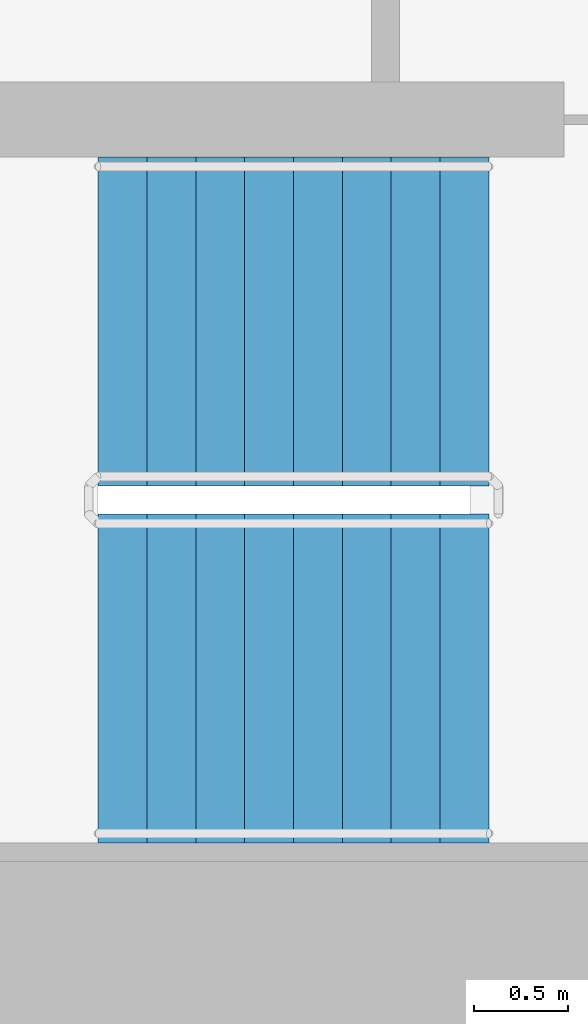
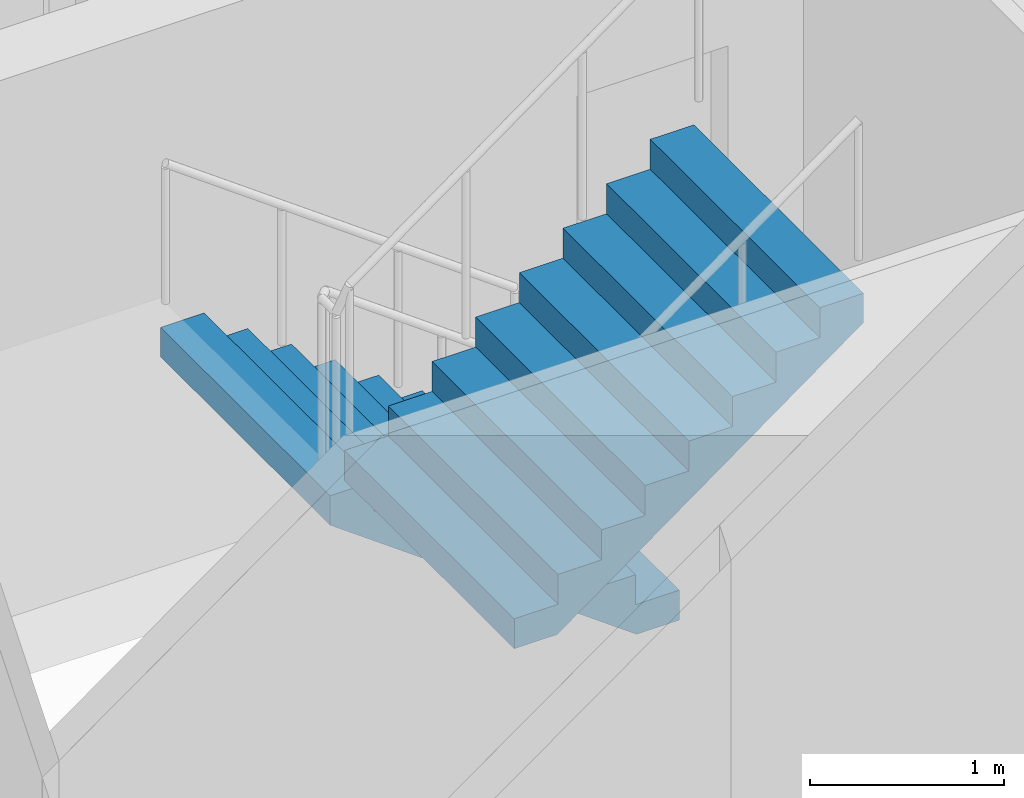
# One storey, part 18 of 24: 2 stair flights, 1 element without a shape of its own.
"""IFC4 building model written with IfcOpenShell, lengths in metres."""

from ifc_helpers import new_model, si_unit, direction, frame, origin, place, context, subcontext, project, spatial, faceted_brep, material, type_object, element, aggregate, save


model = new_model("IFC4")

# Units and contexts
model_context = context("Model", 3, precision=1e-05, world=origin(), true_north=direction((0.0, 1.0)))
body_context = subcontext(model_context, "Body", "Model", "MODEL_VIEW")
ifc_project = project(units=[si_unit("LENGTHUNIT", "METRE"), si_unit("AREAUNIT", "SQUARE_METRE"), si_unit("VOLUMEUNIT", "CUBIC_METRE"), si_unit("PLANEANGLEUNIT", "RADIAN"), si_unit("MASSUNIT", "GRAM", prefix="KILO")], contexts=[model_context])

# Site, building, storey
site_placement = place(None, origin())
site = spatial("IfcSite", under=ifc_project, at=site_placement, CompositionType="ELEMENT")
building_placement = place(site_placement, origin())
building = spatial("IfcBuilding", under=site, at=building_placement, Name="Ipe Terrace Towers", CompositionType="ELEMENT")
storey_placement = place(building_placement, frame((0.0, 0.0, 38.10009765625)))
storey = spatial("IfcBuildingStorey", under=building, at=storey_placement, Name="L09", CompositionType="ELEMENT", Elevation=38.10009765625)

# Stair, stair flights
ifc_material_1 = material(Name="Concrete C30/37", Category="concrete")
stair_type = type_object("IfcStairType", Name="Protected exit stair", PredefinedType="HALF_TURN_STAIR", material=ifc_material_1)
stair_placement = place(storey_placement, origin())
stair = element("IfcStair", 1, at=stair_placement, inside=storey, type_object=stair_type, Name="L09 Exit stair T1-C2", PredefinedType="HALF_TURN_STAIR")
ifc_material_2 = material(Name="Concrete C30/37", Category="concrete")
stair_flight_type = type_object("IfcStairFlightType", Name="Exit stair flight 1750", PredefinedType="STRAIGHT", material=ifc_material_2)
stair_flight_1_placement = place(storey_placement, frame((-45.699951171875, -2.77490234375, 0.0), z_axis=(0.0, 0.0, 1.0), x_axis=(-1.0, 0.0, 0.0)))
stair_flight_1 = element("IfcStairFlight", 2, at=stair_flight_1_placement, type_object=stair_flight_type, Name="T1-ST2 flight 1", NumberOfRisers=9, NumberOfTreads=8, PredefinedType="STRAIGHT", RiserHeight=0.188888889, TreadLength=0.26, context=body_context, shape_type="Brep", body=[
    faceted_brep([(0.255126953125, -0.875, 0.0), (2.080078125, -0.875, 1.325927734375), (2.080078125, -0.875, 1.51123046875), (1.820068359375, -0.875, 1.51123046875), (1.820068359375, -0.875, 1.322265625), (1.56005859375, -0.875, 1.322265625), (1.56005859375, -0.875, 1.13330078125), (1.300048828125, -0.875, 1.13330078125), (1.300048828125, -0.875, 0.9443359375), (1.0400390625, -0.875, 0.9443359375), (1.0400390625, -0.875, 0.755615234375), (0.780029296875, -0.875, 0.755615234375), (0.780029296875, -0.875, 0.566650390625), (0.52001953125, -0.875, 0.566650390625), (0.52001953125, -0.875, 0.377685546875), (0.260009765625, -0.875, 0.377685546875), (0.260009765625, -0.875, 0.18896484375), (0.0, -0.875, 0.18896484375), (0.0, -0.875, 0.0), (0.0, 0.875, 0.0), (0.0, 0.875, 0.18896484375), (0.260009765625, 0.875, 0.18896484375), (0.260009765625, 0.875, 0.377685546875), (0.52001953125, 0.875, 0.377685546875), (0.52001953125, 0.875, 0.566650390625), (0.780029296875, 0.875, 0.566650390625), (0.780029296875, 0.875, 0.755615234375), (1.0400390625, 0.875, 0.755615234375), (1.0400390625, 0.875, 0.9443359375), (1.300048828125, 0.875, 0.9443359375), (1.300048828125, 0.875, 1.13330078125), (1.56005859375, 0.875, 1.13330078125), (1.56005859375, 0.875, 1.322265625), (1.820068359375, 0.875, 1.322265625), (1.820068359375, 0.875, 1.51123046875), (2.080078125, 0.875, 1.51123046875), (2.080078125, 0.875, 1.325927734375), (0.255126953125, 0.875, 0.0), (0.0, -0.300048828125, 0.18896484375), (0.0, -0.1201171875, 0.18896484375), (0.0, -0.06005859375, 0.18896484375), (0.0, -0.030029296875, 0.18896484375), (0.0, -0.010009765625, 0.18896484375), (0.0, 0.0, 0.18896484375), (0.0, 0.010009765625, 0.18896484375), (0.0, 0.030029296875, 0.18896484375), (0.0, 0.06005859375, 0.18896484375), (0.0, 0.1201171875, 0.18896484375), (0.0, 0.300048828125, 0.18896484375), (0.0, 0.300048828125, 0.0), (0.0, 0.1201171875, 0.0), (0.0, 0.06005859375, 0.0), (0.0, 0.030029296875, 0.0), (0.0, 0.010009765625, 0.0), (0.0, 0.0, 0.0), (0.0, -0.010009765625, 0.0), (0.0, -0.030029296875, 0.0), (0.0, -0.06005859375, 0.0), (0.0, -0.1201171875, 0.0), (0.0, -0.300048828125, 0.0), (0.260009765625, -0.300048828125, 0.18896484375), (0.260009765625, -0.1201171875, 0.18896484375), (0.260009765625, -0.06005859375, 0.18896484375), (0.260009765625, -0.030029296875, 0.18896484375), (0.260009765625, -0.010009765625, 0.18896484375), (0.260009765625, 0.0, 0.18896484375), (0.260009765625, 0.010009765625, 0.18896484375), (0.260009765625, 0.030029296875, 0.18896484375), (0.260009765625, 0.06005859375, 0.18896484375), (0.260009765625, 0.1201171875, 0.18896484375), (0.260009765625, 0.300048828125, 0.18896484375), (0.260009765625, -0.300048828125, 0.377685546875), (0.260009765625, -0.1201171875, 0.377685546875), (0.260009765625, -0.06005859375, 0.377685546875), (0.260009765625, -0.030029296875, 0.377685546875), (0.260009765625, -0.010009765625, 0.377685546875), (0.260009765625, 0.0, 0.377685546875), (0.260009765625, 0.010009765625, 0.377685546875), (0.260009765625, 0.030029296875, 0.377685546875), (0.260009765625, 0.06005859375, 0.377685546875), (0.260009765625, 0.1201171875, 0.377685546875), (0.260009765625, 0.300048828125, 0.377685546875), (0.52001953125, -0.300048828125, 0.377685546875), (0.52001953125, -0.1201171875, 0.377685546875), (0.52001953125, -0.06005859375, 0.377685546875), (0.52001953125, -0.030029296875, 0.377685546875), (0.52001953125, -0.010009765625, 0.377685546875), (0.52001953125, 0.0, 0.377685546875), (0.52001953125, 0.010009765625, 0.377685546875), (0.52001953125, 0.030029296875, 0.377685546875), (0.52001953125, 0.06005859375, 0.377685546875), (0.52001953125, 0.1201171875, 0.377685546875), (0.52001953125, 0.300048828125, 0.377685546875), (0.52001953125, -0.300048828125, 0.566650390625), (0.52001953125, -0.1201171875, 0.566650390625), (0.52001953125, -0.06005859375, 0.566650390625), (0.52001953125, -0.030029296875, 0.566650390625), (0.52001953125, -0.010009765625, 0.566650390625), (0.52001953125, 0.0, 0.566650390625), (0.52001953125, 0.010009765625, 0.566650390625), (0.52001953125, 0.030029296875, 0.566650390625), (0.52001953125, 0.06005859375, 0.566650390625), (0.52001953125, 0.1201171875, 0.566650390625), (0.52001953125, 0.300048828125, 0.566650390625), (0.780029296875, -0.300048828125, 0.566650390625), (0.780029296875, -0.1201171875, 0.566650390625), (0.780029296875, -0.06005859375, 0.566650390625), (0.780029296875, -0.030029296875, 0.566650390625), (0.780029296875, -0.010009765625, 0.566650390625), (0.780029296875, 0.0, 0.566650390625), (0.780029296875, 0.010009765625, 0.566650390625), (0.780029296875, 0.030029296875, 0.566650390625), (0.780029296875, 0.06005859375, 0.566650390625), (0.780029296875, 0.1201171875, 0.566650390625), (0.780029296875, 0.300048828125, 0.566650390625), (0.780029296875, -0.300048828125, 0.755615234375), (0.780029296875, -0.1201171875, 0.755615234375), (0.780029296875, -0.06005859375, 0.755615234375), (0.780029296875, -0.030029296875, 0.755615234375), (0.780029296875, -0.010009765625, 0.755615234375), (0.780029296875, 0.0, 0.755615234375), (0.780029296875, 0.010009765625, 0.755615234375), (0.780029296875, 0.030029296875, 0.755615234375), (0.780029296875, 0.06005859375, 0.755615234375), (0.780029296875, 0.1201171875, 0.755615234375), (0.780029296875, 0.300048828125, 0.755615234375), (1.0400390625, -0.300048828125, 0.755615234375), (1.0400390625, -0.1201171875, 0.755615234375), (1.0400390625, -0.06005859375, 0.755615234375), (1.0400390625, -0.030029296875, 0.755615234375), (1.0400390625, -0.010009765625, 0.755615234375), (1.0400390625, 0.0, 0.755615234375), (1.0400390625, 0.010009765625, 0.755615234375), (1.0400390625, 0.030029296875, 0.755615234375), (1.0400390625, 0.06005859375, 0.755615234375), (1.0400390625, 0.1201171875, 0.755615234375), (1.0400390625, 0.300048828125, 0.755615234375), (1.0400390625, -0.300048828125, 0.9443359375), (1.0400390625, -0.1201171875, 0.9443359375), (1.0400390625, -0.06005859375, 0.9443359375), (1.0400390625, -0.030029296875, 0.9443359375), (1.0400390625, -0.010009765625, 0.9443359375), (1.0400390625, 0.0, 0.9443359375), (1.0400390625, 0.010009765625, 0.9443359375), (1.0400390625, 0.030029296875, 0.9443359375), (1.0400390625, 0.06005859375, 0.9443359375), (1.0400390625, 0.1201171875, 0.9443359375), (1.0400390625, 0.300048828125, 0.9443359375), (1.300048828125, -0.300048828125, 0.9443359375), (1.300048828125, -0.1201171875, 0.9443359375), (1.300048828125, -0.06005859375, 0.9443359375), (1.300048828125, -0.030029296875, 0.9443359375), (1.300048828125, -0.010009765625, 0.9443359375), (1.300048828125, 0.0, 0.9443359375), (1.300048828125, 0.010009765625, 0.9443359375), (1.300048828125, 0.030029296875, 0.9443359375), (1.300048828125, 0.06005859375, 0.9443359375), (1.300048828125, 0.1201171875, 0.9443359375), (1.300048828125, 0.300048828125, 0.9443359375), (1.300048828125, -0.300048828125, 1.13330078125), (1.300048828125, -0.1201171875, 1.13330078125), (1.300048828125, -0.06005859375, 1.13330078125), (1.300048828125, -0.030029296875, 1.13330078125), (1.300048828125, -0.010009765625, 1.13330078125), (1.300048828125, 0.0, 1.13330078125), (1.300048828125, 0.010009765625, 1.13330078125), (1.300048828125, 0.030029296875, 1.13330078125), (1.300048828125, 0.06005859375, 1.13330078125), (1.300048828125, 0.1201171875, 1.13330078125), (1.300048828125, 0.300048828125, 1.13330078125), (1.56005859375, -0.300048828125, 1.13330078125), (1.56005859375, -0.1201171875, 1.13330078125), (1.56005859375, -0.06005859375, 1.13330078125), (1.56005859375, -0.030029296875, 1.13330078125), (1.56005859375, -0.010009765625, 1.13330078125), (1.56005859375, 0.0, 1.13330078125), (1.56005859375, 0.010009765625, 1.13330078125), (1.56005859375, 0.030029296875, 1.13330078125), (1.56005859375, 0.06005859375, 1.13330078125), (1.56005859375, 0.1201171875, 1.13330078125), (1.56005859375, 0.300048828125, 1.13330078125), (1.56005859375, -0.300048828125, 1.322265625), (1.56005859375, -0.1201171875, 1.322265625), (1.56005859375, -0.06005859375, 1.322265625), (1.56005859375, -0.030029296875, 1.322265625), (1.56005859375, -0.010009765625, 1.322265625), (1.56005859375, 0.0, 1.322265625), (1.56005859375, 0.010009765625, 1.322265625), (1.56005859375, 0.030029296875, 1.322265625), (1.56005859375, 0.06005859375, 1.322265625), (1.56005859375, 0.1201171875, 1.322265625), (1.56005859375, 0.300048828125, 1.322265625), (1.820068359375, -0.300048828125, 1.322265625), (1.820068359375, -0.1201171875, 1.322265625), (1.820068359375, -0.06005859375, 1.322265625), (1.820068359375, -0.030029296875, 1.322265625), (1.820068359375, -0.010009765625, 1.322265625), (1.820068359375, 0.0, 1.322265625), (1.820068359375, 0.010009765625, 1.322265625), (1.820068359375, 0.030029296875, 1.322265625), (1.820068359375, 0.06005859375, 1.322265625), (1.820068359375, 0.1201171875, 1.322265625), (1.820068359375, 0.300048828125, 1.322265625), (1.820068359375, -0.300048828125, 1.51123046875), (1.820068359375, -0.1201171875, 1.51123046875), (1.820068359375, -0.06005859375, 1.51123046875), (1.820068359375, -0.030029296875, 1.51123046875), (1.820068359375, -0.010009765625, 1.51123046875), (1.820068359375, 0.0, 1.51123046875), (1.820068359375, 0.010009765625, 1.51123046875), (1.820068359375, 0.030029296875, 1.51123046875), (1.820068359375, 0.06005859375, 1.51123046875), (1.820068359375, 0.1201171875, 1.51123046875), (1.820068359375, 0.300048828125, 1.51123046875), (2.080078125, -0.300048828125, 1.51123046875), (2.080078125, -0.1201171875, 1.51123046875), (2.080078125, -0.06005859375, 1.51123046875), (2.080078125, -0.030029296875, 1.51123046875), (2.080078125, -0.010009765625, 1.51123046875), (2.080078125, 0.0, 1.51123046875), (2.080078125, 0.010009765625, 1.51123046875), (2.080078125, 0.030029296875, 1.51123046875), (2.080078125, 0.06005859375, 1.51123046875), (2.080078125, 0.1201171875, 1.51123046875), (2.080078125, 0.300048828125, 1.51123046875), (2.080078125, -0.300048828125, 1.325927734375), (2.080078125, -0.1201171875, 1.325927734375), (2.080078125, -0.06005859375, 1.325927734375), (2.080078125, -0.030029296875, 1.325927734375), (2.080078125, -0.010009765625, 1.325927734375), (2.080078125, 0.0, 1.325927734375), (2.080078125, 0.010009765625, 1.325927734375), (2.080078125, 0.030029296875, 1.325927734375), (2.080078125, 0.06005859375, 1.325927734375), (2.080078125, 0.1201171875, 1.325927734375), (2.080078125, 0.300048828125, 1.325927734375), (0.255126953125, -0.300048828125, 0.0), (0.255126953125, -0.1201171875, 0.0), (0.255126953125, -0.06005859375, 0.0), (0.255126953125, -0.030029296875, 0.0), (0.255126953125, -0.010009765625, 0.0), (0.255126953125, 0.0, 0.0), (0.255126953125, 0.010009765625, 0.0), (0.255126953125, 0.030029296875, 0.0), (0.255126953125, 0.06005859375, 0.0), (0.255126953125, 0.1201171875, 0.0), (0.255126953125, 0.300048828125, 0.0)], [[[0, 1, 2, 3, 4, 5, 6, 7, 8, 9, 10, 11, 12, 13, 14, 15, 16, 17, 18]], [[19, 20, 21, 22, 23, 24, 25, 26, 27, 28, 29, 30, 31, 32, 33, 34, 35, 36, 37]], [[17, 38, 39, 40, 41, 42, 43, 44, 45, 46, 47, 48, 20, 19, 49, 50, 51, 52, 53, 54, 55, 56, 57, 58, 59, 18]], [[16, 60, 61, 62, 63, 64, 65, 66, 67, 68, 69, 70, 21, 20, 48, 47, 46, 45, 44, 43, 42, 41, 40, 39, 38, 17]], [[15, 71, 72, 73, 74, 75, 76, 77, 78, 79, 80, 81, 22, 21, 70, 69, 68, 67, 66, 65, 64, 63, 62, 61, 60, 16]], [[14, 82, 83, 84, 85, 86, 87, 88, 89, 90, 91, 92, 23, 22, 81, 80, 79, 78, 77, 76, 75, 74, 73, 72, 71, 15]], [[13, 93, 94, 95, 96, 97, 98, 99, 100, 101, 102, 103, 24, 23, 92, 91, 90, 89, 88, 87, 86, 85, 84, 83, 82, 14]], [[12, 104, 105, 106, 107, 108, 109, 110, 111, 112, 113, 114, 25, 24, 103, 102, 101, 100, 99, 98, 97, 96, 95, 94, 93, 13]], [[11, 115, 116, 117, 118, 119, 120, 121, 122, 123, 124, 125, 26, 25, 114, 113, 112, 111, 110, 109, 108, 107, 106, 105, 104, 12]], [[10, 126, 127, 128, 129, 130, 131, 132, 133, 134, 135, 136, 27, 26, 125, 124, 123, 122, 121, 120, 119, 118, 117, 116, 115, 11]], [[9, 137, 138, 139, 140, 141, 142, 143, 144, 145, 146, 147, 28, 27, 136, 135, 134, 133, 132, 131, 130, 129, 128, 127, 126, 10]], [[8, 148, 149, 150, 151, 152, 153, 154, 155, 156, 157, 158, 29, 28, 147, 146, 145, 144, 143, 142, 141, 140, 139, 138, 137, 9]], [[7, 159, 160, 161, 162, 163, 164, 165, 166, 167, 168, 169, 30, 29, 158, 157, 156, 155, 154, 153, 152, 151, 150, 149, 148, 8]], [[6, 170, 171, 172, 173, 174, 175, 176, 177, 178, 179, 180, 31, 30, 169, 168, 167, 166, 165, 164, 163, 162, 161, 160, 159, 7]], [[5, 181, 182, 183, 184, 185, 186, 187, 188, 189, 190, 191, 32, 31, 180, 179, 178, 177, 176, 175, 174, 173, 172, 171, 170, 6]], [[4, 192, 193, 194, 195, 196, 197, 198, 199, 200, 201, 202, 33, 32, 191, 190, 189, 188, 187, 186, 185, 184, 183, 182, 181, 5]], [[3, 203, 204, 205, 206, 207, 208, 209, 210, 211, 212, 213, 34, 33, 202, 201, 200, 199, 198, 197, 196, 195, 194, 193, 192, 4]], [[2, 214, 215, 216, 217, 218, 219, 220, 221, 222, 223, 224, 35, 34, 213, 212, 211, 210, 209, 208, 207, 206, 205, 204, 203, 3]], [[1, 225, 226, 227, 228, 229, 230, 231, 232, 233, 234, 235, 36, 35, 224, 223, 222, 221, 220, 219, 218, 217, 216, 215, 214, 2]], [[0, 236, 237, 238, 239, 240, 241, 242, 243, 244, 245, 246, 37, 36, 235, 234, 233, 232, 231, 230, 229, 228, 227, 226, 225, 1]], [[18, 59, 58, 57, 56, 55, 54, 53, 52, 51, 50, 49, 19, 37, 246, 245, 244, 243, 242, 241, 240, 239, 238, 237, 236, 0]]]),
])
stair_flight_2_placement = place(storey_placement, frame((-47.780029296875, -4.675048828125, 1.699951171875), z_axis=(0.0, 0.0, 1.0), x_axis=(1.0, 0.0, 0.0)))
stair_flight_2 = element("IfcStairFlight", 3, at=stair_flight_2_placement, type_object=stair_flight_type, Name="T1-ST2 flight 2", NumberOfRisers=9, NumberOfTreads=8, PredefinedType="STRAIGHT", RiserHeight=0.188888889, TreadLength=0.26, context=body_context, shape_type="Brep", body=[
    faceted_brep([(0.255126953125, -0.875, 0.0), (2.080078125, -0.875, 1.325927734375), (2.080078125, -0.875, 1.51123046875), (1.820068359375, -0.875, 1.51123046875), (1.820068359375, -0.875, 1.322265625), (1.56005859375, -0.875, 1.322265625), (1.56005859375, -0.875, 1.13330078125), (1.300048828125, -0.875, 1.13330078125), (1.300048828125, -0.875, 0.9443359375), (1.0400390625, -0.875, 0.9443359375), (1.0400390625, -0.875, 0.755615234375), (0.780029296875, -0.875, 0.755615234375), (0.780029296875, -0.875, 0.566650390625), (0.52001953125, -0.875, 0.566650390625), (0.52001953125, -0.875, 0.377685546875), (0.260009765625, -0.875, 0.377685546875), (0.260009765625, -0.875, 0.18896484375), (0.0, -0.875, 0.18896484375), (0.0, -0.875, 0.0), (0.0, 0.875, 0.0), (0.0, 0.875, 0.18896484375), (0.260009765625, 0.875, 0.18896484375), (0.260009765625, 0.875, 0.377685546875), (0.52001953125, 0.875, 0.377685546875), (0.52001953125, 0.875, 0.566650390625), (0.780029296875, 0.875, 0.566650390625), (0.780029296875, 0.875, 0.755615234375), (1.0400390625, 0.875, 0.755615234375), (1.0400390625, 0.875, 0.9443359375), (1.300048828125, 0.875, 0.9443359375), (1.300048828125, 0.875, 1.13330078125), (1.56005859375, 0.875, 1.13330078125), (1.56005859375, 0.875, 1.322265625), (1.820068359375, 0.875, 1.322265625), (1.820068359375, 0.875, 1.51123046875), (2.080078125, 0.875, 1.51123046875), (2.080078125, 0.875, 1.325927734375), (0.255126953125, 0.875, 0.0), (0.0, -0.300048828125, 0.18896484375), (0.0, -0.1201171875, 0.18896484375), (0.0, -0.06005859375, 0.18896484375), (0.0, -0.030029296875, 0.18896484375), (0.0, -0.010009765625, 0.18896484375), (0.0, 0.0, 0.18896484375), (0.0, 0.010009765625, 0.18896484375), (0.0, 0.030029296875, 0.18896484375), (0.0, 0.06005859375, 0.18896484375), (0.0, 0.1201171875, 0.18896484375), (0.0, 0.300048828125, 0.18896484375), (0.0, 0.300048828125, 0.0), (0.0, 0.1201171875, 0.0), (0.0, 0.06005859375, 0.0), (0.0, 0.030029296875, 0.0), (0.0, 0.010009765625, 0.0), (0.0, 0.0, 0.0), (0.0, -0.010009765625, 0.0), (0.0, -0.030029296875, 0.0), (0.0, -0.06005859375, 0.0), (0.0, -0.1201171875, 0.0), (0.0, -0.300048828125, 0.0), (0.260009765625, -0.300048828125, 0.18896484375), (0.260009765625, -0.1201171875, 0.18896484375), (0.260009765625, -0.06005859375, 0.18896484375), (0.260009765625, -0.030029296875, 0.18896484375), (0.260009765625, -0.010009765625, 0.18896484375), (0.260009765625, 0.0, 0.18896484375), (0.260009765625, 0.010009765625, 0.18896484375), (0.260009765625, 0.030029296875, 0.18896484375), (0.260009765625, 0.06005859375, 0.18896484375), (0.260009765625, 0.1201171875, 0.18896484375), (0.260009765625, 0.300048828125, 0.18896484375), (0.260009765625, -0.300048828125, 0.377685546875), (0.260009765625, -0.1201171875, 0.377685546875), (0.260009765625, -0.06005859375, 0.377685546875), (0.260009765625, -0.030029296875, 0.377685546875), (0.260009765625, -0.010009765625, 0.377685546875), (0.260009765625, 0.0, 0.377685546875), (0.260009765625, 0.010009765625, 0.377685546875), (0.260009765625, 0.030029296875, 0.377685546875), (0.260009765625, 0.06005859375, 0.377685546875), (0.260009765625, 0.1201171875, 0.377685546875), (0.260009765625, 0.300048828125, 0.377685546875), (0.52001953125, -0.300048828125, 0.377685546875), (0.52001953125, -0.1201171875, 0.377685546875), (0.52001953125, -0.06005859375, 0.377685546875), (0.52001953125, -0.030029296875, 0.377685546875), (0.52001953125, -0.010009765625, 0.377685546875), (0.52001953125, 0.0, 0.377685546875), (0.52001953125, 0.010009765625, 0.377685546875), (0.52001953125, 0.030029296875, 0.377685546875), (0.52001953125, 0.06005859375, 0.377685546875), (0.52001953125, 0.1201171875, 0.377685546875), (0.52001953125, 0.300048828125, 0.377685546875), (0.52001953125, -0.300048828125, 0.566650390625), (0.52001953125, -0.1201171875, 0.566650390625), (0.52001953125, -0.06005859375, 0.566650390625), (0.52001953125, -0.030029296875, 0.566650390625), (0.52001953125, -0.010009765625, 0.566650390625), (0.52001953125, 0.0, 0.566650390625), (0.52001953125, 0.010009765625, 0.566650390625), (0.52001953125, 0.030029296875, 0.566650390625), (0.52001953125, 0.06005859375, 0.566650390625), (0.52001953125, 0.1201171875, 0.566650390625), (0.52001953125, 0.300048828125, 0.566650390625), (0.780029296875, -0.300048828125, 0.566650390625), (0.780029296875, -0.1201171875, 0.566650390625), (0.780029296875, -0.06005859375, 0.566650390625), (0.780029296875, -0.030029296875, 0.566650390625), (0.780029296875, -0.010009765625, 0.566650390625), (0.780029296875, 0.0, 0.566650390625), (0.780029296875, 0.010009765625, 0.566650390625), (0.780029296875, 0.030029296875, 0.566650390625), (0.780029296875, 0.06005859375, 0.566650390625), (0.780029296875, 0.1201171875, 0.566650390625), (0.780029296875, 0.300048828125, 0.566650390625), (0.780029296875, -0.300048828125, 0.755615234375), (0.780029296875, -0.1201171875, 0.755615234375), (0.780029296875, -0.06005859375, 0.755615234375), (0.780029296875, -0.030029296875, 0.755615234375), (0.780029296875, -0.010009765625, 0.755615234375), (0.780029296875, 0.0, 0.755615234375), (0.780029296875, 0.010009765625, 0.755615234375), (0.780029296875, 0.030029296875, 0.755615234375), (0.780029296875, 0.06005859375, 0.755615234375), (0.780029296875, 0.1201171875, 0.755615234375), (0.780029296875, 0.300048828125, 0.755615234375), (1.0400390625, -0.300048828125, 0.755615234375), (1.0400390625, -0.1201171875, 0.755615234375), (1.0400390625, -0.06005859375, 0.755615234375), (1.0400390625, -0.030029296875, 0.755615234375), (1.0400390625, -0.010009765625, 0.755615234375), (1.0400390625, 0.0, 0.755615234375), (1.0400390625, 0.010009765625, 0.755615234375), (1.0400390625, 0.030029296875, 0.755615234375), (1.0400390625, 0.06005859375, 0.755615234375), (1.0400390625, 0.1201171875, 0.755615234375), (1.0400390625, 0.300048828125, 0.755615234375), (1.0400390625, -0.300048828125, 0.9443359375), (1.0400390625, -0.1201171875, 0.9443359375), (1.0400390625, -0.06005859375, 0.9443359375), (1.0400390625, -0.030029296875, 0.9443359375), (1.0400390625, -0.010009765625, 0.9443359375), (1.0400390625, 0.0, 0.9443359375), (1.0400390625, 0.010009765625, 0.9443359375), (1.0400390625, 0.030029296875, 0.9443359375), (1.0400390625, 0.06005859375, 0.9443359375), (1.0400390625, 0.1201171875, 0.9443359375), (1.0400390625, 0.300048828125, 0.9443359375), (1.300048828125, -0.300048828125, 0.9443359375), (1.300048828125, -0.1201171875, 0.9443359375), (1.300048828125, -0.06005859375, 0.9443359375), (1.300048828125, -0.030029296875, 0.9443359375), (1.300048828125, -0.010009765625, 0.9443359375), (1.300048828125, 0.0, 0.9443359375), (1.300048828125, 0.010009765625, 0.9443359375), (1.300048828125, 0.030029296875, 0.9443359375), (1.300048828125, 0.06005859375, 0.9443359375), (1.300048828125, 0.1201171875, 0.9443359375), (1.300048828125, 0.300048828125, 0.9443359375), (1.300048828125, -0.300048828125, 1.13330078125), (1.300048828125, -0.1201171875, 1.13330078125), (1.300048828125, -0.06005859375, 1.13330078125), (1.300048828125, -0.030029296875, 1.13330078125), (1.300048828125, -0.010009765625, 1.13330078125), (1.300048828125, 0.0, 1.13330078125), (1.300048828125, 0.010009765625, 1.13330078125), (1.300048828125, 0.030029296875, 1.13330078125), (1.300048828125, 0.06005859375, 1.13330078125), (1.300048828125, 0.1201171875, 1.13330078125), (1.300048828125, 0.300048828125, 1.13330078125), (1.56005859375, -0.300048828125, 1.13330078125), (1.56005859375, -0.1201171875, 1.13330078125), (1.56005859375, -0.06005859375, 1.13330078125), (1.56005859375, -0.030029296875, 1.13330078125), (1.56005859375, -0.010009765625, 1.13330078125), (1.56005859375, 0.0, 1.13330078125), (1.56005859375, 0.010009765625, 1.13330078125), (1.56005859375, 0.030029296875, 1.13330078125), (1.56005859375, 0.06005859375, 1.13330078125), (1.56005859375, 0.1201171875, 1.13330078125), (1.56005859375, 0.300048828125, 1.13330078125), (1.56005859375, -0.300048828125, 1.322265625), (1.56005859375, -0.1201171875, 1.322265625), (1.56005859375, -0.06005859375, 1.322265625), (1.56005859375, -0.030029296875, 1.322265625), (1.56005859375, -0.010009765625, 1.322265625), (1.56005859375, 0.0, 1.322265625), (1.56005859375, 0.010009765625, 1.322265625), (1.56005859375, 0.030029296875, 1.322265625), (1.56005859375, 0.06005859375, 1.322265625), (1.56005859375, 0.1201171875, 1.322265625), (1.56005859375, 0.300048828125, 1.322265625), (1.820068359375, -0.300048828125, 1.322265625), (1.820068359375, -0.1201171875, 1.322265625), (1.820068359375, -0.06005859375, 1.322265625), (1.820068359375, -0.030029296875, 1.322265625), (1.820068359375, -0.010009765625, 1.322265625), (1.820068359375, 0.0, 1.322265625), (1.820068359375, 0.010009765625, 1.322265625), (1.820068359375, 0.030029296875, 1.322265625), (1.820068359375, 0.06005859375, 1.322265625), (1.820068359375, 0.1201171875, 1.322265625), (1.820068359375, 0.300048828125, 1.322265625), (1.820068359375, -0.300048828125, 1.51123046875), (1.820068359375, -0.1201171875, 1.51123046875), (1.820068359375, -0.06005859375, 1.51123046875), (1.820068359375, -0.030029296875, 1.51123046875), (1.820068359375, -0.010009765625, 1.51123046875), (1.820068359375, 0.0, 1.51123046875), (1.820068359375, 0.010009765625, 1.51123046875), (1.820068359375, 0.030029296875, 1.51123046875), (1.820068359375, 0.06005859375, 1.51123046875), (1.820068359375, 0.1201171875, 1.51123046875), (1.820068359375, 0.300048828125, 1.51123046875), (2.080078125, -0.300048828125, 1.51123046875), (2.080078125, -0.1201171875, 1.51123046875), (2.080078125, -0.06005859375, 1.51123046875), (2.080078125, -0.030029296875, 1.51123046875), (2.080078125, -0.010009765625, 1.51123046875), (2.080078125, 0.0, 1.51123046875), (2.080078125, 0.010009765625, 1.51123046875), (2.080078125, 0.030029296875, 1.51123046875), (2.080078125, 0.06005859375, 1.51123046875), (2.080078125, 0.1201171875, 1.51123046875), (2.080078125, 0.300048828125, 1.51123046875), (2.080078125, -0.300048828125, 1.325927734375), (2.080078125, -0.1201171875, 1.325927734375), (2.080078125, -0.06005859375, 1.325927734375), (2.080078125, -0.030029296875, 1.325927734375), (2.080078125, -0.010009765625, 1.325927734375), (2.080078125, 0.0, 1.325927734375), (2.080078125, 0.010009765625, 1.325927734375), (2.080078125, 0.030029296875, 1.325927734375), (2.080078125, 0.06005859375, 1.325927734375), (2.080078125, 0.1201171875, 1.325927734375), (2.080078125, 0.300048828125, 1.325927734375), (0.255126953125, -0.300048828125, 0.0), (0.255126953125, -0.1201171875, 0.0), (0.255126953125, -0.06005859375, 0.0), (0.255126953125, -0.030029296875, 0.0), (0.255126953125, -0.010009765625, 0.0), (0.255126953125, 0.0, 0.0), (0.255126953125, 0.010009765625, 0.0), (0.255126953125, 0.030029296875, 0.0), (0.255126953125, 0.06005859375, 0.0), (0.255126953125, 0.1201171875, 0.0), (0.255126953125, 0.300048828125, 0.0)], [[[0, 1, 2, 3, 4, 5, 6, 7, 8, 9, 10, 11, 12, 13, 14, 15, 16, 17, 18]], [[19, 20, 21, 22, 23, 24, 25, 26, 27, 28, 29, 30, 31, 32, 33, 34, 35, 36, 37]], [[17, 38, 39, 40, 41, 42, 43, 44, 45, 46, 47, 48, 20, 19, 49, 50, 51, 52, 53, 54, 55, 56, 57, 58, 59, 18]], [[16, 60, 61, 62, 63, 64, 65, 66, 67, 68, 69, 70, 21, 20, 48, 47, 46, 45, 44, 43, 42, 41, 40, 39, 38, 17]], [[15, 71, 72, 73, 74, 75, 76, 77, 78, 79, 80, 81, 22, 21, 70, 69, 68, 67, 66, 65, 64, 63, 62, 61, 60, 16]], [[14, 82, 83, 84, 85, 86, 87, 88, 89, 90, 91, 92, 23, 22, 81, 80, 79, 78, 77, 76, 75, 74, 73, 72, 71, 15]], [[13, 93, 94, 95, 96, 97, 98, 99, 100, 101, 102, 103, 24, 23, 92, 91, 90, 89, 88, 87, 86, 85, 84, 83, 82, 14]], [[12, 104, 105, 106, 107, 108, 109, 110, 111, 112, 113, 114, 25, 24, 103, 102, 101, 100, 99, 98, 97, 96, 95, 94, 93, 13]], [[11, 115, 116, 117, 118, 119, 120, 121, 122, 123, 124, 125, 26, 25, 114, 113, 112, 111, 110, 109, 108, 107, 106, 105, 104, 12]], [[10, 126, 127, 128, 129, 130, 131, 132, 133, 134, 135, 136, 27, 26, 125, 124, 123, 122, 121, 120, 119, 118, 117, 116, 115, 11]], [[9, 137, 138, 139, 140, 141, 142, 143, 144, 145, 146, 147, 28, 27, 136, 135, 134, 133, 132, 131, 130, 129, 128, 127, 126, 10]], [[8, 148, 149, 150, 151, 152, 153, 154, 155, 156, 157, 158, 29, 28, 147, 146, 145, 144, 143, 142, 141, 140, 139, 138, 137, 9]], [[7, 159, 160, 161, 162, 163, 164, 165, 166, 167, 168, 169, 30, 29, 158, 157, 156, 155, 154, 153, 152, 151, 150, 149, 148, 8]], [[6, 170, 171, 172, 173, 174, 175, 176, 177, 178, 179, 180, 31, 30, 169, 168, 167, 166, 165, 164, 163, 162, 161, 160, 159, 7]], [[5, 181, 182, 183, 184, 185, 186, 187, 188, 189, 190, 191, 32, 31, 180, 179, 178, 177, 176, 175, 174, 173, 172, 171, 170, 6]], [[4, 192, 193, 194, 195, 196, 197, 198, 199, 200, 201, 202, 33, 32, 191, 190, 189, 188, 187, 186, 185, 184, 183, 182, 181, 5]], [[3, 203, 204, 205, 206, 207, 208, 209, 210, 211, 212, 213, 34, 33, 202, 201, 200, 199, 198, 197, 196, 195, 194, 193, 192, 4]], [[2, 214, 215, 216, 217, 218, 219, 220, 221, 222, 223, 224, 35, 34, 213, 212, 211, 210, 209, 208, 207, 206, 205, 204, 203, 3]], [[1, 225, 226, 227, 228, 229, 230, 231, 232, 233, 234, 235, 36, 35, 224, 223, 222, 221, 220, 219, 218, 217, 216, 215, 214, 2]], [[0, 236, 237, 238, 239, 240, 241, 242, 243, 244, 245, 246, 37, 36, 235, 234, 233, 232, 231, 230, 229, 228, 227, 226, 225, 1]], [[18, 59, 58, 57, 56, 55, 54, 53, 52, 51, 50, 49, 19, 37, 246, 245, 244, 243, 242, 241, 240, 239, 238, 237, 236, 0]]]),
])
aggregate(stair, [stair_flight_1, stair_flight_2])

save(model, "model.ifc")
